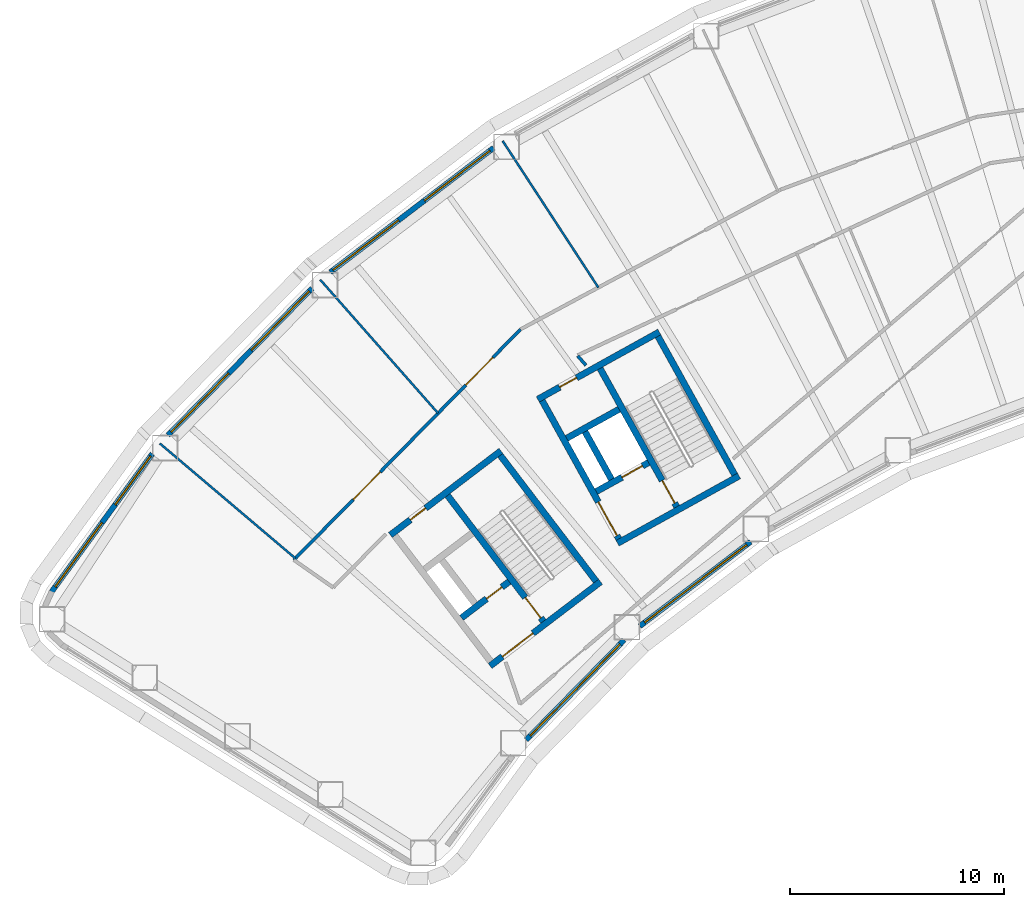
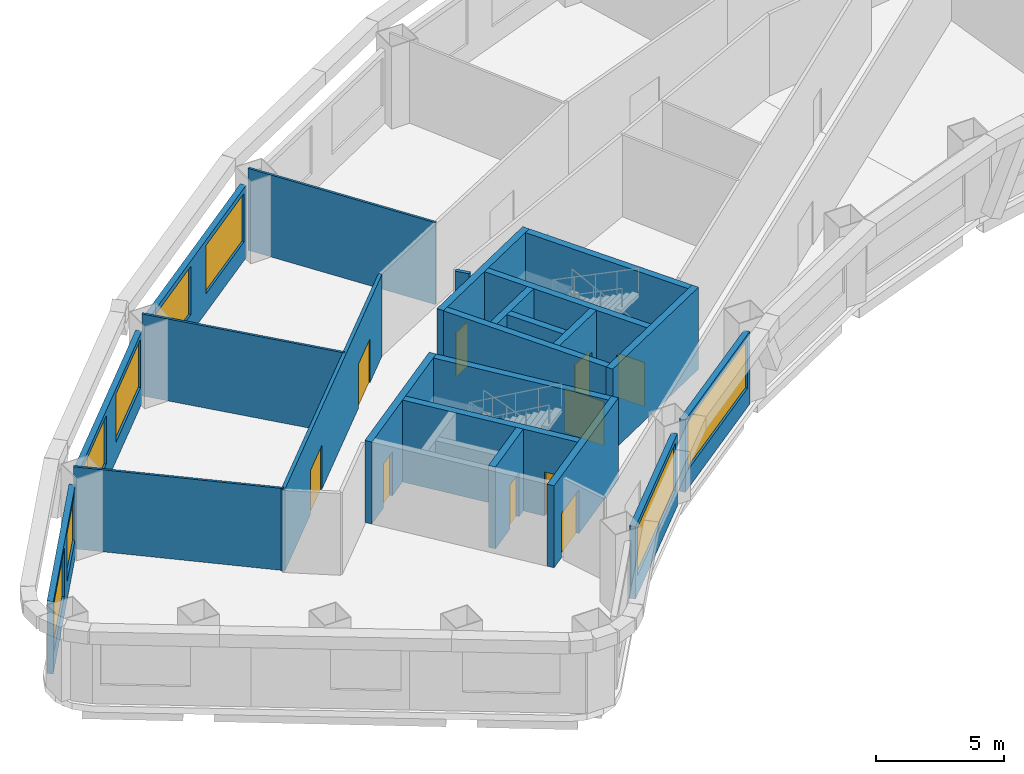
# One storey, part 3 of 10: 23 walls, 10 doors, 8 windows, 18 openings.
"""IFC4 building model written with IfcOpenShell, lengths in metres."""

import ifcopenshell
import ifcopenshell.guid

model = None  # the IFC model being written
_history = None  # IfcOwnerHistory: only IFC2X3 demands one
_inside = {}  # id of a spatial element -> (the spatial element, [elements in it])
_under = {}  # id of a project, library or spatial element -> (it, [spatial elements below it])
_declared = {}  # id of a project -> (the project, [libraries it declares])
_typed = {}  # id of a type object -> (the type object, [elements of that type])
_made_of = {}  # id of a material, layer set ... -> (it, [elements and type objects made of it])


def new_model(schema):
    """Start an empty IFC model of exactly this schema.

    Asked for "IFC4X3", IfcOpenShell would pick the latest addendum, in which some entities
    have other attributes; the version numbers below select the first issue.
    IFC2X3 requires an IfcOwnerHistory on every rooted entity: one is made here for all.
    """
    global model, _history
    if schema == "IFC4X3":
        model = ifcopenshell.file(schema_version=(4, 3, 0, 0))
    else:
        model = ifcopenshell.file(schema=schema)
    _inside.clear()
    _under.clear()
    _declared.clear()
    _typed.clear()
    _made_of.clear()
    _history = None
    if model.schema == "IFC2X3":
        org = make("IfcOrganization", Name="unknown")
        user = make(
            "IfcPersonAndOrganization",
            ThePerson=make("IfcPerson", FamilyName="unknown"),
            TheOrganization=org,
        )
        app = make(
            "IfcApplication",
            ApplicationDeveloper=org,
            Version="unknown",
            ApplicationFullName="unknown",
            ApplicationIdentifier="unknown",
        )
        _history = make(
            "IfcOwnerHistory",
            OwningUser=user,
            OwningApplication=app,
            ChangeAction="ADDED",
            CreationDate=0,
        )
    return model


def make(cls, **values):
    """One entity of the class cls with the attributes given. An attribute that is None is left unset."""
    return model.create_entity(
        cls, **{name: value for name, value in values.items() if value is not None}
    )


def rooted(cls, **values):
    """An entity with a GlobalId (a new one), such as an element, a storey or a relation."""
    return make(cls, GlobalId=ifcopenshell.guid.new(), OwnerHistory=_history, **values)


def si_unit(unit_type, name, prefix=None):
    """IfcSIUnit, for example si_unit("LENGTHUNIT", "METRE", prefix="MILLI")."""
    return make("IfcSIUnit", UnitType=unit_type, Prefix=prefix, Name=name)


def assignment(units):
    """IfcUnitAssignment: the units of a project."""
    return None if units is None else make("IfcUnitAssignment", Units=units)


def point(xyz):
    """IfcCartesianPoint."""
    return None if xyz is None else make("IfcCartesianPoint", Coordinates=xyz)


def direction(xyz):
    """IfcDirection."""
    return None if xyz is None else make("IfcDirection", DirectionRatios=xyz)


def frame(location, z_axis=None, x_axis=None):
    """IfcAxis2Placement3D, a coordinate frame: its origin and axes. An axis left out is left unset."""
    return make(
        "IfcAxis2Placement3D",
        Location=point(location),
        Axis=direction(z_axis),
        RefDirection=direction(x_axis),
    )


def frame_2d(location, x_axis=None):
    """IfcAxis2Placement2D, a coordinate frame in the plane: its origin and x axis."""
    return make(
        "IfcAxis2Placement2D", Location=point(location), RefDirection=direction(x_axis)
    )


def origin():
    """The frame at (0, 0, 0) with its axes left unset."""
    return frame((0.0, 0.0, 0.0))


def place(relative_to, where):
    """IfcLocalPlacement: puts the frame where relative to a parent placement (None: the world)."""
    return make(
        "IfcLocalPlacement", PlacementRelTo=relative_to, RelativePlacement=where
    )


def context(
    kind, dimensions, precision=None, world=None, true_north=None, identifier=None
):
    """IfcGeometricRepresentationContext, for example the 3D "Model" context."""
    return make(
        "IfcGeometricRepresentationContext",
        ContextIdentifier=identifier,
        ContextType=kind,
        CoordinateSpaceDimension=dimensions,
        Precision=precision,
        WorldCoordinateSystem=world,
        TrueNorth=true_north,
    )


def subcontext(parent, identifier, kind, view, scale=None):
    """IfcGeometricRepresentationSubContext, for example "Body" below "Model"."""
    return make(
        "IfcGeometricRepresentationSubContext",
        ContextIdentifier=identifier,
        ContextType=kind,
        ParentContext=parent,
        TargetScale=scale,
        TargetView=view,
    )


def project(units=None, contexts=None):
    """IfcProject with its units and contexts."""
    return rooted(
        "IfcProject",
        Name="project",
        RepresentationContexts=contexts,
        UnitsInContext=assignment(units),
    )


def spatial(cls, under=None, at=None, **own):
    """A site, building, storey or space (cls), placed at a placement, below another one or the project."""
    s = rooted(cls, ObjectPlacement=at, **own)
    if under is not None:
        _under.setdefault(under.id(), (under, []))[1].append(s)
    return s


def profile(cls, at=None, kind="AREA", **sizes):
    """A parametric profile (cls). Its sizes go by their IFC names, for example OverallWidth=200.0."""
    return make(cls, ProfileType=kind, Position=at, **sizes)


def rectangle(**sizes):
    """IfcRectangleProfileDef."""
    return profile("IfcRectangleProfileDef", **sizes)


def extrude(swept, where, along, depth):
    """IfcExtrudedAreaSolid: the profile swept, set in the frame where, extruded along a direction by depth."""
    return make(
        "IfcExtrudedAreaSolid",
        SweptArea=swept,
        Position=where,
        ExtrudedDirection=direction(along),
        Depth=depth,
    )


def shape(context_of_items, identifier, shape_type, items):
    """IfcShapeRepresentation: the items that make up one representation, for example the "Body"."""
    return make(
        "IfcShapeRepresentation",
        ContextOfItems=context_of_items,
        RepresentationIdentifier=identifier,
        RepresentationType=shape_type,
        Items=items,
    )


def material(Name=None, Category=None):
    """IfcMaterial."""
    return make("IfcMaterial", Name=Name, Category=Category)


def layer(
    of_material, thickness, ventilated=None, Name=None, Category=None, Priority=None
):
    """IfcMaterialLayer: one layer of a wall or slab, of a material (None: an air gap)."""
    return make(
        "IfcMaterialLayer",
        Material=of_material,
        LayerThickness=thickness,
        IsVentilated=ventilated,
        Name=Name,
        Category=Category,
        Priority=Priority,
    )


def layer_set(layers, Name=None):
    """IfcMaterialLayerSet."""
    return make("IfcMaterialLayerSet", MaterialLayers=layers, LayerSetName=Name)


def made_of(thing, what):
    """Note that an element or type object is made of a material, layer set ...; save() writes the relation."""
    if what is not None:
        _made_of.setdefault(what.id(), (what, []))[1].append(thing)
    return thing


def type_object(cls, material=None, **own):
    """A type object (cls), such as IfcWallType, which elements share."""
    return made_of(rooted(cls, **own), material)


def element(
    cls,
    number,
    at=None,
    inside=None,
    cuts=None,
    type_object=None,
    material=None,
    context=None,
    identifier="Body",
    shape_type=None,
    held_by="IfcProductDefinitionShape",
    body=None,
    shapes=None,
    **own,
):
    """One element of the class cls, such as IfcWall. Its Tag is "e" and its number.

    at: its placement. inside: the storey or other place that contains it. cuts: it is an
    opening in that element (IfcRelVoidsElement). A single representation is given by context,
    identifier, shape_type and body (its items); several are given by shapes. held_by: the class
    of the entity that holds the representations. save() writes the other relations.
    """
    e = rooted(cls, Tag="e%d" % number, ObjectPlacement=at, **own)
    if body is not None:
        shapes = [shape(context, identifier, shape_type, body)]
    if shapes is not None:
        e.Representation = make(held_by, Representations=shapes)
    if inside is not None:
        _inside.setdefault(inside.id(), (inside, []))[1].append(e)
    if cuts is not None:
        rooted(
            "IfcRelVoidsElement", RelatingBuildingElement=cuts, RelatedOpeningElement=e
        )
    if type_object is not None:
        _typed.setdefault(type_object.id(), (type_object, []))[1].append(e)
    return made_of(e, material)


def fill(opening, filler):
    """IfcRelFillsElement: the door or window that sits in an opening."""
    return rooted(
        "IfcRelFillsElement",
        RelatingOpeningElement=opening,
        RelatedBuildingElement=filler,
    )


def aggregate(whole, parts):
    """IfcRelAggregates: a whole, such as a stair, and the parts it consists of."""
    return rooted("IfcRelAggregates", RelatingObject=whole, RelatedObjects=parts)


def save(model, path):
    """Write the relations noted so far, then the file.

    IfcRelAggregates (storeys below a building ...), IfcRelContainedInSpatialStructure (elements
    in a storey), IfcRelDefinesByType, IfcRelAssociatesMaterial and IfcRelDeclares: one each for
    every whole, place, type object, material and project.
    """
    for whole, parts in _under.values():
        aggregate(whole, parts)
    for where, things in _inside.values():
        rooted(
            "IfcRelContainedInSpatialStructure",
            RelatedElements=things,
            RelatingStructure=where,
        )
    for kind, things in _typed.values():
        rooted("IfcRelDefinesByType", RelatedObjects=things, RelatingType=kind)
    for what, things in _made_of.values():
        rooted("IfcRelAssociatesMaterial", RelatedObjects=things, RelatingMaterial=what)
    for by, libraries in _declared.values():
        rooted("IfcRelDeclares", RelatingContext=by, RelatedDefinitions=libraries)
    model.write(path)


model = new_model("IFC4")

# Units and contexts
model_context = context("Model", 3, precision=1e-05, world=origin(), true_north=direction((0.0, 1.0)))
body_context = subcontext(model_context, "Body", "Model", "MODEL_VIEW")
ifc_project = project(units=[si_unit("LENGTHUNIT", "METRE"), si_unit("AREAUNIT", "SQUARE_METRE"), si_unit("VOLUMEUNIT", "CUBIC_METRE"), si_unit("PLANEANGLEUNIT", "RADIAN"), si_unit("MASSUNIT", "GRAM", prefix="KILO")], contexts=[model_context])

# Site, building, storey
site_placement = place(None, origin())
site = spatial("IfcSite", under=ifc_project, at=site_placement, CompositionType="ELEMENT")
building_placement = place(site_placement, origin())
building = spatial("IfcBuilding", under=site, at=building_placement, Name="Tuul Gate Civic Tower", CompositionType="ELEMENT")
storey_placement = place(building_placement, frame((0.0, 0.0, 86.39990234375)))
storey = spatial("IfcBuildingStorey", under=building, at=storey_placement, Name="Level 19", CompositionType="ELEMENT", Elevation=86.39990234375)

# Wall, opening, door
ifc_material_1 = material(Name="Concrete C50/60", Category="concrete")
ifc_layer_1 = layer(ifc_material_1, 0.300048828125)
ifc_layer_set_1 = layer_set([ifc_layer_1], Name="Concrete C50/60")
wall_type_1 = type_object("IfcWallType", Name="Core wall C50/60", PredefinedType="SHEAR", material=ifc_layer_set_1)
wall_1_placement = place(storey_placement, frame((-31.19091796875, -13.669677734375, 0.0), z_axis=(0.0, 0.0, 1.0), x_axis=(-0.795606717756, -0.605813461934, 0.0)))
wall_1 = element("IfcWall", 1, at=wall_1_placement, inside=storey, type_object=wall_type_1, Name="Core wall", PredefinedType="SHEAR", context=body_context, shape_type="SweptSolid", body=[
    extrude(rectangle(XDim=6.5, YDim=0.300048828125, at=frame_2d((3.25, 0.0))), origin(), (0.0, 0.0, 1.0), 3.900146484375),
])
opening_1_placement = place(wall_1_placement, frame((3.97509765625, 0.0, 0.0)))
opening_1 = element("IfcOpeningElement", 2, at=opening_1_placement, cuts=wall_1, Name="Opening LB-W1-LOBBY-1", PredefinedType="OPENING", context=body_context, shape_type="SweptSolid", body=[
    extrude(rectangle(XDim=1.800048828125, YDim=2.10009765625, at=frame_2d((0.89990234375, 1.050048828125))), frame((0.0, 0.16015625, 0.0), z_axis=(0.0, -1.0, 0.0), x_axis=(1.0, 0.0, 0.0)), (0.0, 0.0, 1.0), 0.320068359375),
])
ifc_material_2 = material(Name="Steel", Category="steel")
door_type_1 = type_object("IfcDoorType", Name="Lobby door", OperationType="DOUBLE_DOOR_SINGLE_SWING", PredefinedType="DOOR", material=ifc_material_2)
door_1_placement = place(opening_1_placement, origin())
door_1 = element("IfcDoor", 3, at=door_1_placement, inside=storey, type_object=door_type_1, Name="Lobby door W1-LOBBY", OperationType="DOUBLE_DOOR_SINGLE_SWING", OverallHeight=2.10009765625, OverallWidth=1.800048828125, PredefinedType="DOOR", context=body_context, shape_type="SweptSolid", body=[
    extrude(rectangle(XDim=1.800048828125, YDim=2.10009765625, at=frame_2d((0.89990234375, 1.050048828125))), frame((0.0, 0.02490234375, 0.0), z_axis=(0.0, -1.0, 0.0), x_axis=(1.0, 0.0, 0.0)), (0.0, 0.0, 1.0), 0.050048828125),
])
fill(opening_1, door_1)

wall_2_placement = place(storey_placement, frame((-35.470947265625, -13.66064453125, 0.0), z_axis=(0.0, 0.0, 1.0), x_axis=(-0.795615822227, -0.605801504968, 0.0)))
wall_2 = element("IfcWall", 4, at=wall_2_placement, inside=storey, type_object=wall_type_1, Name="Core wall", PredefinedType="SHEAR", context=body_context, shape_type="SweptSolid", body=[
    extrude(rectangle(XDim=2.800048828125, YDim=0.300048828125, at=frame_2d((1.39990234375, 0.0))), origin(), (0.0, 0.0, 1.0), 3.900146484375),
])
opening_2_placement = place(wall_2_placement, frame((0.425048828125, 0.0, 0.0)))
opening_2 = element("IfcOpeningElement", 5, at=opening_2_placement, cuts=wall_2, Name="Opening FB-W1A1", PredefinedType="OPENING", context=body_context, shape_type="SweptSolid", body=[
    extrude(rectangle(XDim=0.89990234375, YDim=2.10009765625, at=frame_2d((0.449951171875, 1.050048828125))), frame((0.0, 0.16015625, 0.0), z_axis=(0.0, -1.0, 0.0), x_axis=(1.0, 0.0, 0.0)), (0.0, 0.0, 1.0), 0.320068359375),
])
ifc_material_3 = material(Name="Steel", Category="steel")
door_type_2 = type_object("IfcDoorType", Name="Store door", OperationType="NOTDEFINED", PredefinedType="DOOR", material=ifc_material_3)
door_2_placement = place(opening_2_placement, frame((0.89990234375, 0.0, 0.0), z_axis=(0.0, 0.0, 1.0), x_axis=(-1.0, 0.0, 0.0)))
door_2 = element("IfcDoor", 6, at=door_2_placement, inside=storey, type_object=door_type_2, Name="Store door W1A1", OperationType="SINGLE_SWING_RIGHT", OverallHeight=2.10009765625, OverallWidth=0.89990234375, PredefinedType="DOOR", context=body_context, shape_type="SweptSolid", body=[
    extrude(rectangle(XDim=0.89990234375, YDim=2.10009765625, at=frame_2d((0.449951171875, 1.050048828125))), frame((0.0, 0.02490234375, 0.0), z_axis=(0.0, -1.0, 0.0), x_axis=(1.0, 0.0, 0.0)), (0.0, 0.0, 1.0), 0.050048828125),
])
fill(opening_2, door_2)

wall_3_placement = place(storey_placement, frame((-35.855224609375, -7.543212890625, 0.0), z_axis=(0.0, 0.0, 1.0), x_axis=(-0.79563860527, -0.605771582202, 0.0)))
wall_3 = element("IfcWall", 7, at=wall_3_placement, inside=storey, type_object=wall_type_1, Name="Core wall", PredefinedType="SHEAR", context=body_context, shape_type="SweptSolid", body=[
    extrude(rectangle(XDim=6.5, YDim=0.300048828125, at=frame_2d((3.25, 0.0))), origin(), (0.0, 0.0, 1.0), 3.900146484375),
])
opening_3_placement = place(wall_3_placement, frame((4.425048828125, 0.0, 0.0)))
opening_3 = element("IfcOpeningElement", 8, at=opening_3_placement, cuts=wall_3, Name="Opening F-D25", PredefinedType="OPENING", context=body_context, shape_type="SweptSolid", body=[
    extrude(rectangle(XDim=0.89990234375, YDim=2.10009765625, at=frame_2d((0.449951171875, 1.050048828125))), frame((0.0, 0.16015625, 0.0), z_axis=(0.0, -1.0, 0.0), x_axis=(1.0, 0.0, 0.0)), (0.0, 0.0, 1.0), 0.320068359375),
])
ifc_material_4 = material(Name="Timber door leaf", Category="wood")
door_type_3 = type_object("IfcDoorType", Name="Door D09", OperationType="NOTDEFINED", PredefinedType="DOOR", material=ifc_material_4)
door_3_placement = place(opening_3_placement, origin())
door_3 = element("IfcDoor", 9, at=door_3_placement, inside=storey, type_object=door_type_3, Name="Door F-D25", OperationType="SINGLE_SWING_LEFT", OverallHeight=2.10009765625, OverallWidth=0.89990234375, PredefinedType="DOOR", context=body_context, shape_type="SweptSolid", body=[
    extrude(rectangle(XDim=0.89990234375, YDim=2.10009765625, at=frame_2d((0.449951171875, 1.050048828125))), frame((0.0, 0.02490234375, 0.0), z_axis=(0.0, -1.0, 0.0), x_axis=(1.0, 0.0, 0.0)), (0.0, 0.0, 1.0), 0.050048828125),
])
fill(opening_3, door_3)

# Wall
wall_4_placement = place(storey_placement, frame((-31.401123046875, -13.64111328125, 0.0), z_axis=(0.0, 0.0, 1.0), x_axis=(-0.605769822278, 0.795639945213, 0.0)))
element("IfcWall", 10, at=wall_4_placement, inside=storey, type_object=wall_type_1, Name="Core wall", PredefinedType="SHEAR", context=body_context, shape_type="SweptSolid", body=[
    extrude(rectangle(XDim=7.39990234375, YDim=0.300048828125, at=frame_2d((3.699951171875, 0.0))), origin(), (0.0, 0.0, 1.0), 3.900146484375),
])

# Wall, opening, door
wall_5_placement = place(storey_placement, frame((-33.867431640625, -15.51904296875, 0.0), z_axis=(0.0, 0.0, 1.0), x_axis=(-0.605769822278, 0.795639945213, 0.0)))
wall_5 = element("IfcWall", 11, at=wall_5_placement, inside=storey, type_object=wall_type_1, Name="Core wall", PredefinedType="SHEAR", context=body_context, shape_type="SweptSolid", body=[
    extrude(rectangle(XDim=7.39990234375, YDim=0.300048828125, at=frame_2d((3.699951171875, 0.0))), origin(), (0.0, 0.0, 1.0), 3.900146484375),
])
opening_4_placement = place(wall_5_placement, frame((0.199951171875, 0.0, 0.0)))
opening_4 = element("IfcOpeningElement", 12, at=opening_4_placement, cuts=wall_5, Name="Opening SD-ST-1", PredefinedType="OPENING", context=body_context, shape_type="SweptSolid", body=[
    extrude(rectangle(XDim=1.199951171875, YDim=2.10009765625, at=frame_2d((0.60009765625, 1.050048828125))), frame((0.0, 0.16015625, 0.0), z_axis=(0.0, -1.0, 0.0), x_axis=(1.0, 0.0, 0.0)), (0.0, 0.0, 1.0), 0.320068359375),
])
ifc_material_5 = material(Name="Steel", Category="steel")
door_type_4 = type_object("IfcDoorType", Name="Stair door", OperationType="NOTDEFINED", PredefinedType="DOOR", material=ifc_material_5)
door_4_placement = place(opening_4_placement, origin())
door_4 = element("IfcDoor", 13, at=door_4_placement, inside=storey, type_object=door_type_4, Name="Stair door ST-1", OperationType="SINGLE_SWING_LEFT", OverallHeight=2.10009765625, OverallWidth=1.199951171875, PredefinedType="DOOR", context=body_context, shape_type="SweptSolid", body=[
    extrude(rectangle(XDim=1.199951171875, YDim=2.10009765625, at=frame_2d((0.60009765625, 1.050048828125))), frame((0.0, 0.02490234375, 0.0), z_axis=(0.0, -1.0, 0.0), x_axis=(1.0, 0.0, 0.0)), (0.0, 0.0, 1.0), 0.050048828125),
])
fill(opening_4, door_4)

# Wall
wall_6_placement = place(storey_placement, frame((-24.711669921875, -8.7158203125, 0.0), z_axis=(0.0, 0.0, 1.0), x_axis=(-0.874629909008, -0.484791215132, 0.0)))
element("IfcWall", 14, at=wall_6_placement, inside=storey, type_object=wall_type_1, Name="Core wall", PredefinedType="SHEAR", context=body_context, shape_type="SweptSolid", body=[
    extrude(rectangle(XDim=6.5, YDim=0.300048828125, at=frame_2d((3.25, 0.0))), origin(), (0.0, 0.0, 1.0), 3.900146484375),
])

# Wall, opening, door
wall_7_placement = place(storey_placement, frame((-28.94580078125, -8.090087890625, 0.0), z_axis=(0.0, 0.0, 1.0), x_axis=(-0.874629840737, -0.484791338301, 0.0)))
wall_7 = element("IfcWall", 15, at=wall_7_placement, inside=storey, type_object=wall_type_1, Name="Core wall", PredefinedType="SHEAR", context=body_context, shape_type="SweptSolid", body=[
    extrude(rectangle(XDim=2.800048828125, YDim=0.300048828125, at=frame_2d((1.39990234375, 0.0))), origin(), (0.0, 0.0, 1.0), 3.900146484375),
])
opening_5_placement = place(wall_7_placement, frame((0.324951171875, 0.0, 0.0)))
opening_5 = element("IfcOpeningElement", 16, at=opening_5_placement, cuts=wall_7, Name="Opening LD-FF-1", PredefinedType="OPENING", context=body_context, shape_type="SweptSolid", body=[
    extrude(rectangle(XDim=1.10009765625, YDim=2.10009765625, at=frame_2d((0.550048828125, 1.050048828125))), frame((0.0, 0.16015625, 0.0), z_axis=(0.0, -1.0, 0.0), x_axis=(1.0, 0.0, 0.0)), (0.0, 0.0, 1.0), 0.320068359375),
])
ifc_material_6 = material(Name="Stainless steel", Category="steel")
door_type_5 = type_object("IfcDoorType", Name="Landing door", OperationType="DOUBLE_DOOR_SLIDING", PredefinedType="DOOR", material=ifc_material_6)
door_5_placement = place(opening_5_placement, origin())
door_5 = element("IfcDoor", 17, at=door_5_placement, inside=storey, type_object=door_type_5, Name="Fire-fighting lift FF-1 landing door", OperationType="DOUBLE_DOOR_SLIDING", OverallHeight=2.10009765625, OverallWidth=1.10009765625, PredefinedType="DOOR", context=body_context, shape_type="SweptSolid", body=[
    extrude(rectangle(XDim=1.10009765625, YDim=2.10009765625, at=frame_2d((0.550048828125, 1.050048828125))), frame((0.0, 0.02490234375, 0.0), z_axis=(0.0, -1.0, 0.0), x_axis=(1.0, 0.0, 0.0)), (0.0, 0.0, 1.0), 0.050048828125),
])
fill(opening_5, door_5)

# Wall
wall_8_placement = place(storey_placement, frame((-30.327392578125, -5.59716796875, 0.0), z_axis=(0.0, 0.0, 1.0), x_axis=(-0.874629840737, -0.484791338301, 0.0)))
element("IfcWall", 18, at=wall_8_placement, inside=storey, type_object=wall_type_1, Name="Core wall", PredefinedType="SHEAR", context=body_context, shape_type="SweptSolid", body=[
    extrude(rectangle(XDim=2.800048828125, YDim=0.300048828125, at=frame_2d((1.39990234375, 0.0))), origin(), (0.0, 0.0, 1.0), 3.900146484375),
])

# Wall, opening, door
wall_9_placement = place(storey_placement, frame((-28.4443359375, -1.98095703125, 0.0), z_axis=(0.0, 0.0, 1.0), x_axis=(-0.874629909008, -0.484791215132, 0.0)))
wall_9 = element("IfcWall", 19, at=wall_9_placement, inside=storey, type_object=wall_type_1, Name="Core wall", PredefinedType="SHEAR", context=body_context, shape_type="SweptSolid", body=[
    extrude(rectangle(XDim=6.5, YDim=0.300048828125, at=frame_2d((3.25, 0.0))), origin(), (0.0, 0.0, 1.0), 3.900146484375),
])
opening_6_placement = place(wall_9_placement, frame((4.425048828125, 0.0, 0.0)))
opening_6 = element("IfcOpeningElement", 20, at=opening_6_placement, cuts=wall_9, Name="Opening F-D26", PredefinedType="OPENING", context=body_context, shape_type="SweptSolid", body=[
    extrude(rectangle(XDim=0.89990234375, YDim=2.10009765625, at=frame_2d((0.449951171875, 1.050048828125))), frame((0.0, 0.16015625, 0.0), z_axis=(0.0, -1.0, 0.0), x_axis=(1.0, 0.0, 0.0)), (0.0, 0.0, 1.0), 0.320068359375),
])
door_6_placement = place(opening_6_placement, origin())
door_6 = element("IfcDoor", 21, at=door_6_placement, inside=storey, type_object=door_type_3, Name="Door F-D26", OperationType="SINGLE_SWING_LEFT", OverallHeight=2.10009765625, OverallWidth=0.89990234375, PredefinedType="DOOR", context=body_context, shape_type="SweptSolid", body=[
    extrude(rectangle(XDim=0.89990234375, YDim=2.10009765625, at=frame_2d((0.449951171875, 1.050048828125))), frame((0.0, 0.02490234375, 0.0), z_axis=(0.0, -1.0, 0.0), x_axis=(1.0, 0.0, 0.0)), (0.0, 0.0, 1.0), 0.050048828125),
])
fill(opening_6, door_6)

# Wall
wall_10_placement = place(storey_placement, frame((-24.91552734375, -8.6572265625, 0.0), z_axis=(0.0, 0.0, 1.0), x_axis=(-0.484777133038, 0.874637714304, 0.0)))
element("IfcWall", 22, at=wall_10_placement, inside=storey, type_object=wall_type_1, Name="Core wall", PredefinedType="SHEAR", context=body_context, shape_type="SweptSolid", body=[
    extrude(rectangle(XDim=7.400146484375, YDim=0.300048828125, at=frame_2d((3.7001953125, 0.0))), origin(), (0.0, 0.0, 1.0), 3.900146484375),
])

# Wall, opening, door
wall_11_placement = place(storey_placement, frame((-27.626953125, -10.16015625, 0.0), z_axis=(0.0, 0.0, 1.0), x_axis=(-0.484751894226, 0.874651702704, 0.0)))
wall_11 = element("IfcWall", 23, at=wall_11_placement, inside=storey, type_object=wall_type_1, Name="Core wall", PredefinedType="SHEAR", context=body_context, shape_type="SweptSolid", body=[
    extrude(rectangle(XDim=7.39990234375, YDim=0.300048828125, at=frame_2d((3.699951171875, 0.0))), origin(), (0.0, 0.0, 1.0), 3.900146484375),
])
opening_7_placement = place(wall_11_placement, frame((0.199951171875, 0.0, 0.0)))
opening_7 = element("IfcOpeningElement", 24, at=opening_7_placement, cuts=wall_11, Name="Opening SD-ST-2", PredefinedType="OPENING", context=body_context, shape_type="SweptSolid", body=[
    extrude(rectangle(XDim=1.199951171875, YDim=2.10009765625, at=frame_2d((0.60009765625, 1.050048828125))), frame((0.0, 0.16015625, 0.0), z_axis=(0.0, -1.0, 0.0), x_axis=(1.0, 0.0, 0.0)), (0.0, 0.0, 1.0), 0.320068359375),
])
door_7_placement = place(opening_7_placement, origin())
door_7 = element("IfcDoor", 25, at=door_7_placement, inside=storey, type_object=door_type_4, Name="Stair door ST-2", OperationType="SINGLE_SWING_LEFT", OverallHeight=2.10009765625, OverallWidth=1.199951171875, PredefinedType="DOOR", context=body_context, shape_type="SweptSolid", body=[
    extrude(rectangle(XDim=1.199951171875, YDim=2.10009765625, at=frame_2d((0.60009765625, 1.050048828125))), frame((0.0, 0.02490234375, 0.0), z_axis=(0.0, -1.0, 0.0), x_axis=(1.0, 0.0, 0.0)), (0.0, 0.0, 1.0), 0.050048828125),
])
fill(opening_7, door_7)

# Wall
wall_12_placement = place(storey_placement, frame((-30.680419921875, -8.8798828125, 0.0), z_axis=(0.0, 0.0, 1.0), x_axis=(-0.484724115216, 0.874667097888, 0.0)))
element("IfcWall", 26, at=wall_12_placement, inside=storey, type_object=wall_type_1, Name="Core wall", PredefinedType="SHEAR", context=body_context, shape_type="SweptSolid", body=[
    extrude(rectangle(XDim=2.550048828125, YDim=0.300048828125, at=frame_2d((1.27490234375, 0.0))), origin(), (0.0, 0.0, 1.0), 3.900146484375),
])

# Wall, opening, door
wall_13_placement = place(storey_placement, frame((-30.33837890625, -11.6630859375, 0.0), z_axis=(0.0, 0.0, 1.0), x_axis=(-0.484751894226, 0.874651702704, 0.0)))
wall_13 = element("IfcWall", 27, at=wall_13_placement, inside=storey, type_object=wall_type_1, Name="Core wall", PredefinedType="SHEAR", context=body_context, shape_type="SweptSolid", body=[
    extrude(rectangle(XDim=7.39990234375, YDim=0.300048828125, at=frame_2d((3.699951171875, 0.0))), origin(), (0.0, 0.0, 1.0), 3.900146484375),
])
opening_8_placement = place(wall_13_placement, frame((0.175048828125, 0.0, 0.0)))
opening_8 = element("IfcOpeningElement", 28, at=opening_8_placement, cuts=wall_13, Name="Opening LB-W2-FLOBBY-1", PredefinedType="OPENING", context=body_context, shape_type="SweptSolid", body=[
    extrude(rectangle(XDim=1.800048828125, YDim=2.10009765625, at=frame_2d((0.89990234375, 1.050048828125))), frame((0.0, 0.16015625, 0.0), z_axis=(0.0, -1.0, 0.0), x_axis=(1.0, 0.0, 0.0)), (0.0, 0.0, 1.0), 0.320068359375),
])
door_8_placement = place(opening_8_placement, origin())
door_8 = element("IfcDoor", 29, at=door_8_placement, inside=storey, type_object=door_type_1, Name="Lobby door W2-FLOBBY", OperationType="DOUBLE_DOOR_SINGLE_SWING", OverallHeight=2.10009765625, OverallWidth=1.800048828125, PredefinedType="DOOR", context=body_context, shape_type="SweptSolid", body=[
    extrude(rectangle(XDim=1.800048828125, YDim=2.10009765625, at=frame_2d((0.89990234375, 1.050048828125))), frame((0.0, 0.02490234375, 0.0), z_axis=(0.0, -1.0, 0.0), x_axis=(1.0, 0.0, 0.0)), (0.0, 0.0, 1.0), 0.050048828125),
])
fill(opening_8, door_8)

# Wall, openings, doors
ifc_material_7 = material(Name="Gypsum board partition")
ifc_layer_2 = layer(ifc_material_7, 0.14990234375)
ifc_layer_set_2 = layer_set([ifc_layer_2], Name="Gypsum board partition")
wall_type_2 = type_object("IfcWallType", Name="Corridor wall P150", PredefinedType="PARTITIONING", material=ifc_layer_set_2)
wall_14_placement = place(storey_placement, frame((-45.54443359375, -12.64697265625, 0.0), z_axis=(0.0, 0.0, 1.0), x_axis=(0.701088693239, 0.713074080452, 0.0)))
wall_14 = element("IfcWall", 30, at=wall_14_placement, inside=storey, type_object=wall_type_2, Name="p033", PredefinedType="PARTITIONING", context=body_context, shape_type="SweptSolid", body=[
    extrude(rectangle(XDim=15.134765625, YDim=0.14990234375, at=frame_2d((7.5673828125, 0.0))), origin(), (0.0, 0.0, 1.0), 3.900146484375),
])
opening_9_placement = place(wall_14_placement, frame((11.48046875, 0.0, 0.0)))
opening_9 = element("IfcOpeningElement", 31, at=opening_9_placement, cuts=wall_14, Name="Opening F-D10", PredefinedType="OPENING", context=body_context, shape_type="SweptSolid", body=[
    extrude(rectangle(XDim=1.800048828125, YDim=2.10009765625, at=frame_2d((0.89990234375, 1.050048828125))), frame((0.0, 0.0849609375, 0.0), z_axis=(0.0, -1.0, 0.0), x_axis=(1.0, 0.0, 0.0)), (0.0, 0.0, 1.0), 0.169921875),
])
opening_10_placement = place(wall_14_placement, frame((3.965087890625, 0.0, 0.0)))
opening_10 = element("IfcOpeningElement", 32, at=opening_10_placement, cuts=wall_14, Name="Opening F-D11", PredefinedType="OPENING", context=body_context, shape_type="SweptSolid", body=[
    extrude(rectangle(XDim=1.800048828125, YDim=2.10009765625, at=frame_2d((0.89990234375, 1.050048828125))), frame((0.0, 0.0849609375, 0.0), z_axis=(0.0, -1.0, 0.0), x_axis=(1.0, 0.0, 0.0)), (0.0, 0.0, 1.0), 0.169921875),
])
ifc_material_8 = material(Name="Timber door leaf, double", Category="wood")
door_type_6 = type_object("IfcDoorType", Name="Door D18", OperationType="DOUBLE_DOOR_SINGLE_SWING", PredefinedType="DOOR", material=ifc_material_8)
door_9_placement = place(opening_9_placement, origin())
door_9 = element("IfcDoor", 33, at=door_9_placement, inside=storey, type_object=door_type_6, Name="Door F-D10", OperationType="DOUBLE_DOOR_SINGLE_SWING", OverallHeight=2.10009765625, OverallWidth=1.800048828125, PredefinedType="DOOR", context=body_context, shape_type="SweptSolid", body=[
    extrude(rectangle(XDim=1.800048828125, YDim=2.10009765625, at=frame_2d((0.89990234375, 1.050048828125))), frame((0.0, 0.02490234375, 0.0), z_axis=(0.0, -1.0, 0.0), x_axis=(1.0, 0.0, 0.0)), (0.0, 0.0, 1.0), 0.050048828125),
])
fill(opening_9, door_9)
door_10_placement = place(opening_10_placement, origin())
door_10 = element("IfcDoor", 34, at=door_10_placement, inside=storey, type_object=door_type_6, Name="Door F-D11", OperationType="DOUBLE_DOOR_SINGLE_SWING", OverallHeight=2.10009765625, OverallWidth=1.800048828125, PredefinedType="DOOR", context=body_context, shape_type="SweptSolid", body=[
    extrude(rectangle(XDim=1.800048828125, YDim=2.10009765625, at=frame_2d((0.89990234375, 1.050048828125))), frame((0.0, 0.02490234375, 0.0), z_axis=(0.0, -1.0, 0.0), x_axis=(1.0, 0.0, 0.0)), (0.0, 0.0, 1.0), 0.050048828125),
])
fill(opening_10, door_10)

# Wall
wall_15_placement = place(storey_placement, frame((-32.260986328125, -3.09912109375, 0.0), z_axis=(0.0, 0.0, 1.0), x_axis=(0.658209440718, -0.752834863798, 0.0)))
element("IfcWall", 35, at=wall_15_placement, inside=storey, type_object=wall_type_2, Name="p063", PredefinedType="PARTITIONING", context=body_context, shape_type="SweptSolid", body=[
    extrude(rectangle(XDim=0.585693359375, YDim=0.14990234375, at=frame_2d((0.29296875, 0.0))), origin(), (0.0, 0.0, 1.0), 3.900146484375),
])

# Wall, openings, windows
ifc_material_9 = material(Name="Precast concrete C40/50", Category="concrete")
ifc_layer_3 = layer(ifc_material_9, 0.25)
ifc_layer_set_3 = layer_set([ifc_layer_3], Name="Precast concrete C40/50")
wall_type_3 = type_object("IfcWallType", Name="External wall", PredefinedType="STANDARD", material=ifc_layer_set_3)
wall_16_placement = place(storey_placement, frame((-36.194091796875, 6.635986328125, 0.0), z_axis=(0.0, 0.0, 1.0), x_axis=(-0.795611941646, -0.605806601409, 0.0)))
wall_16 = element("IfcWall", 36, at=wall_16_placement, inside=storey, type_object=wall_type_3, Name="External wall", PredefinedType="STANDARD", context=body_context, shape_type="SweptSolid", body=[
    extrude(rectangle(XDim=9.607177734375, YDim=0.25, at=frame_2d((4.8037109375, 0.0))), origin(), (0.0, 0.0, 1.0), 3.4501953125),
])
opening_11_placement = place(wall_16_placement, frame((0.221923828125, 0.0, 0.89990234375)))
opening_11 = element("IfcOpeningElement", 37, at=opening_11_placement, cuts=wall_16, Name="Opening W22", PredefinedType="OPENING", context=body_context, shape_type="SweptSolid", body=[
    extrude(rectangle(XDim=3.85009765625, YDim=2.300048828125, at=frame_2d((1.925048828125, 1.14990234375))), frame((0.0, 0.135009765625, 0.0), z_axis=(0.0, -1.0, 0.0), x_axis=(1.0, 0.0, 0.0)), (0.0, 0.0, 1.0), 0.27001953125),
])
opening_12_placement = place(wall_16_placement, frame((5.59326171875, 0.0, 0.89990234375)))
opening_12 = element("IfcOpeningElement", 38, at=opening_12_placement, cuts=wall_16, Name="Opening W22", PredefinedType="OPENING", context=body_context, shape_type="SweptSolid", body=[
    extrude(rectangle(XDim=3.85009765625, YDim=2.300048828125, at=frame_2d((1.925048828125, 1.14990234375))), frame((0.0, 0.135009765625, 0.0), z_axis=(0.0, -1.0, 0.0), x_axis=(1.0, 0.0, 0.0)), (0.0, 0.0, 1.0), 0.27001953125),
])
ifc_material_10 = material(Name="Glass", Category="glass")
window_type_1 = type_object("IfcWindowType", Name="Window W22 3850 x 2300", PartitioningType="SINGLE_PANEL", PredefinedType="WINDOW", material=ifc_material_10)
window_1_placement = place(opening_11_placement, origin())
window_1 = element("IfcWindow", 39, at=window_1_placement, inside=storey, type_object=window_type_1, Name="Window", OverallHeight=2.300048828125, OverallWidth=3.85009765625, PartitioningType="SINGLE_PANEL", PredefinedType="WINDOW", context=body_context, shape_type="SweptSolid", body=[
    extrude(rectangle(XDim=3.85009765625, YDim=2.300048828125, at=frame_2d((1.925048828125, 1.14990234375))), frame((0.0, 0.030029296875, 0.0), z_axis=(0.0, -1.0, 0.0), x_axis=(1.0, 0.0, 0.0)), (0.0, 0.0, 1.0), 0.06005859375),
])
fill(opening_11, window_1)
window_2_placement = place(opening_12_placement, origin())
window_2 = element("IfcWindow", 40, at=window_2_placement, inside=storey, type_object=window_type_1, Name="Window", OverallHeight=2.300048828125, OverallWidth=3.85009765625, PartitioningType="SINGLE_PANEL", PredefinedType="WINDOW", context=body_context, shape_type="SweptSolid", body=[
    extrude(rectangle(XDim=3.85009765625, YDim=2.300048828125, at=frame_2d((1.925048828125, 1.14990234375))), frame((0.0, 0.030029296875, 0.0), z_axis=(0.0, -1.0, 0.0), x_axis=(1.0, 0.0, 0.0)), (0.0, 0.0, 1.0), 0.06005859375),
])
fill(opening_12, window_2)

wall_17_placement = place(storey_placement, frame((-44.68896484375, 0.068359375, 0.0), z_axis=(0.0, 0.0, 1.0), x_axis=(-0.700037194481, -0.714106383072, 0.0)))
wall_17 = element("IfcWall", 41, at=wall_17_placement, inside=storey, type_object=wall_type_3, Name="External wall", PredefinedType="STANDARD", context=body_context, shape_type="SweptSolid", body=[
    extrude(rectangle(XDim=9.630859375, YDim=0.25, at=frame_2d((4.8154296875, 0.0))), origin(), (0.0, 0.0, 1.0), 3.4501953125),
])
opening_13_placement = place(wall_17_placement, frame((0.203125, 0.0, 0.89990234375)))
opening_13 = element("IfcOpeningElement", 42, at=opening_13_placement, cuts=wall_17, Name="Opening W22", PredefinedType="OPENING", context=body_context, shape_type="SweptSolid", body=[
    extrude(rectangle(XDim=3.85009765625, YDim=2.300048828125, at=frame_2d((1.925048828125, 1.14990234375))), frame((0.0, 0.135009765625, 0.0), z_axis=(0.0, -1.0, 0.0), x_axis=(1.0, 0.0, 0.0)), (0.0, 0.0, 1.0), 0.27001953125),
])
opening_14_placement = place(wall_17_placement, frame((5.57421875, 0.0, 0.89990234375)))
opening_14 = element("IfcOpeningElement", 43, at=opening_14_placement, cuts=wall_17, Name="Opening W22", PredefinedType="OPENING", context=body_context, shape_type="SweptSolid", body=[
    extrude(rectangle(XDim=3.85009765625, YDim=2.300048828125, at=frame_2d((1.925048828125, 1.14990234375))), frame((0.0, 0.135009765625, 0.0), z_axis=(0.0, -1.0, 0.0), x_axis=(1.0, 0.0, 0.0)), (0.0, 0.0, 1.0), 0.27001953125),
])
window_3_placement = place(opening_13_placement, origin())
window_3 = element("IfcWindow", 44, at=window_3_placement, inside=storey, type_object=window_type_1, Name="Window", OverallHeight=2.300048828125, OverallWidth=3.85009765625, PartitioningType="SINGLE_PANEL", PredefinedType="WINDOW", context=body_context, shape_type="SweptSolid", body=[
    extrude(rectangle(XDim=3.85009765625, YDim=2.300048828125, at=frame_2d((1.925048828125, 1.14990234375))), frame((0.0, 0.030029296875, 0.0), z_axis=(0.0, -1.0, 0.0), x_axis=(1.0, 0.0, 0.0)), (0.0, 0.0, 1.0), 0.06005859375),
])
fill(opening_13, window_3)
window_4_placement = place(opening_14_placement, origin())
window_4 = element("IfcWindow", 45, at=window_4_placement, inside=storey, type_object=window_type_1, Name="Window", OverallHeight=2.300048828125, OverallWidth=3.85009765625, PartitioningType="SINGLE_PANEL", PredefinedType="WINDOW", context=body_context, shape_type="SweptSolid", body=[
    extrude(rectangle(XDim=3.85009765625, YDim=2.300048828125, at=frame_2d((1.925048828125, 1.14990234375))), frame((0.0, 0.030029296875, 0.0), z_axis=(0.0, -1.0, 0.0), x_axis=(1.0, 0.0, 0.0)), (0.0, 0.0, 1.0), 0.06005859375),
])
fill(opening_14, window_4)

wall_18_placement = place(storey_placement, frame((-52.1640625, -7.679443359375, 0.0), z_axis=(0.0, 0.0, 1.0), x_axis=(-0.589758648629, -0.807579554204, 0.0)))
wall_18 = element("IfcWall", 46, at=wall_18_placement, inside=storey, type_object=wall_type_3, Name="External wall", PredefinedType="STANDARD", context=body_context, shape_type="SweptSolid", body=[
    extrude(rectangle(XDim=7.998291015625, YDim=0.25, at=frame_2d((3.9990234375, 0.0))), origin(), (0.0, 0.0, 1.0), 3.4501953125),
])
opening_15_placement = place(wall_18_placement, frame((0.145751953125, 0.0, 0.89990234375)))
opening_15 = element("IfcOpeningElement", 47, at=opening_15_placement, cuts=wall_18, Name="Opening W23", PredefinedType="OPENING", context=body_context, shape_type="SweptSolid", body=[
    extrude(rectangle(XDim=2.800048828125, YDim=2.300048828125, at=frame_2d((1.39990234375, 1.14990234375))), frame((0.0, 0.135009765625, 0.0), z_axis=(0.0, -1.0, 0.0), x_axis=(1.0, 0.0, 0.0)), (0.0, 0.0, 1.0), 0.27001953125),
])
opening_16_placement = place(wall_18_placement, frame((3.997314453125, 0.0, 0.89990234375)))
opening_16 = element("IfcOpeningElement", 48, at=opening_16_placement, cuts=wall_18, Name="Opening W21", PredefinedType="OPENING", context=body_context, shape_type="SweptSolid", body=[
    extrude(rectangle(XDim=3.699951171875, YDim=2.300048828125, at=frame_2d((1.85009765625, 1.14990234375))), frame((0.0, 0.135009765625, 0.0), z_axis=(0.0, -1.0, 0.0), x_axis=(1.0, 0.0, 0.0)), (0.0, 0.0, 1.0), 0.27001953125),
])
ifc_material_11 = material(Name="Glass", Category="glass")
window_type_2 = type_object("IfcWindowType", Name="Window W21 3700 x 2300", PartitioningType="SINGLE_PANEL", PredefinedType="WINDOW", material=ifc_material_11)
window_5_placement = place(opening_16_placement, origin())
window_5 = element("IfcWindow", 49, at=window_5_placement, inside=storey, type_object=window_type_2, Name="Window", OverallHeight=2.300048828125, OverallWidth=3.699951171875, PartitioningType="SINGLE_PANEL", PredefinedType="WINDOW", context=body_context, shape_type="SweptSolid", body=[
    extrude(rectangle(XDim=3.699951171875, YDim=2.300048828125, at=frame_2d((1.85009765625, 1.14990234375))), frame((0.0, 0.030029296875, 0.0), z_axis=(0.0, -1.0, 0.0), x_axis=(1.0, 0.0, 0.0)), (0.0, 0.0, 1.0), 0.06005859375),
])
fill(opening_16, window_5)
ifc_material_12 = material(Name="Glass", Category="glass")
window_type_3 = type_object("IfcWindowType", Name="Window W23 2800 x 2300", PartitioningType="SINGLE_PANEL", PredefinedType="WINDOW", material=ifc_material_12)
window_6_placement = place(opening_15_placement, origin())
window_6 = element("IfcWindow", 50, at=window_6_placement, inside=storey, type_object=window_type_3, Name="Window", OverallHeight=2.300048828125, OverallWidth=2.800048828125, PartitioningType="SINGLE_PANEL", PredefinedType="WINDOW", context=body_context, shape_type="SweptSolid", body=[
    extrude(rectangle(XDim=2.800048828125, YDim=2.300048828125, at=frame_2d((1.39990234375, 1.14990234375))), frame((0.0, 0.030029296875, 0.0), z_axis=(0.0, -1.0, 0.0), x_axis=(1.0, 0.0, 0.0)), (0.0, 0.0, 1.0), 0.06005859375),
])
fill(opening_15, window_6)

# Wall, opening, window
wall_19_placement = place(storey_placement, frame((-34.673095703125, -21.0693359375, 0.0), z_axis=(0.0, 0.0, 1.0), x_axis=(0.700096771337, 0.714047975114, 0.0)))
wall_19 = element("IfcWall", 51, at=wall_19_placement, inside=storey, type_object=wall_type_3, Name="External wall", PredefinedType="STANDARD", context=body_context, shape_type="SweptSolid", body=[
    extrude(rectangle(XDim=6.544921875, YDim=0.25, at=frame_2d((3.2724609375, 0.0))), origin(), (0.0, 0.0, 1.0), 3.4501953125),
])
opening_17_placement = place(wall_19_placement, frame((0.269775390625, 0.0, 0.89990234375)))
opening_17 = element("IfcOpeningElement", 52, at=opening_17_placement, cuts=wall_19, Name="Opening W26", PredefinedType="OPENING", context=body_context, shape_type="SweptSolid", body=[
    extrude(rectangle(XDim=6.0, YDim=2.300048828125, at=frame_2d((3.0, 1.14990234375))), frame((0.0, 0.135009765625, 0.0), z_axis=(0.0, -1.0, 0.0), x_axis=(1.0, 0.0, 0.0)), (0.0, 0.0, 1.0), 0.27001953125),
])
ifc_material_13 = material(Name="Glass", Category="glass")
window_type_4 = type_object("IfcWindowType", Name="Window W26 6000 x 2300", PartitioningType="SINGLE_PANEL", PredefinedType="WINDOW", material=ifc_material_13)
window_7_placement = place(opening_17_placement, origin())
window_7 = element("IfcWindow", 53, at=window_7_placement, inside=storey, type_object=window_type_4, Name="Window", OverallHeight=2.300048828125, OverallWidth=6.0, PartitioningType="SINGLE_PANEL", PredefinedType="WINDOW", context=body_context, shape_type="SweptSolid", body=[
    extrude(rectangle(XDim=6.0, YDim=2.300048828125, at=frame_2d((3.0, 1.14990234375))), frame((0.0, 0.030029296875, 0.0), z_axis=(0.0, -1.0, 0.0), x_axis=(1.0, 0.0, 0.0)), (0.0, 0.0, 1.0), 0.06005859375),
])
fill(opening_17, window_7)

wall_20_placement = place(storey_placement, frame((-29.35791015625, -15.747802734375, 0.0), z_axis=(0.0, 0.0, 1.0), x_axis=(0.7955846747, 0.605842409694, 0.0)))
wall_20 = element("IfcWall", 54, at=wall_20_placement, inside=storey, type_object=wall_type_3, Name="External wall", PredefinedType="STANDARD", context=body_context, shape_type="SweptSolid", body=[
    extrude(rectangle(XDim=6.52099609375, YDim=0.25, at=frame_2d((3.260498046875, 0.0))), origin(), (0.0, 0.0, 1.0), 3.4501953125),
])
opening_18_placement = place(wall_20_placement, frame((0.28857421875, 0.0, 0.89990234375)))
opening_18 = element("IfcOpeningElement", 55, at=opening_18_placement, cuts=wall_20, Name="Opening W26", PredefinedType="OPENING", context=body_context, shape_type="SweptSolid", body=[
    extrude(rectangle(XDim=6.0, YDim=2.300048828125, at=frame_2d((3.0, 1.14990234375))), frame((0.0, 0.135009765625, 0.0), z_axis=(0.0, -1.0, 0.0), x_axis=(1.0, 0.0, 0.0)), (0.0, 0.0, 1.0), 0.27001953125),
])
window_8_placement = place(opening_18_placement, origin())
window_8 = element("IfcWindow", 56, at=window_8_placement, inside=storey, type_object=window_type_4, Name="Window", OverallHeight=2.300048828125, OverallWidth=6.0, PartitioningType="SINGLE_PANEL", PredefinedType="WINDOW", context=body_context, shape_type="SweptSolid", body=[
    extrude(rectangle(XDim=6.0, YDim=2.300048828125, at=frame_2d((3.0, 1.14990234375))), frame((0.0, 0.030029296875, 0.0), z_axis=(0.0, -1.0, 0.0), x_axis=(1.0, 0.0, 0.0)), (0.0, 0.0, 1.0), 0.06005859375),
])
fill(opening_18, window_8)

# Walls
ifc_material_14 = material(Name="Gypsum board partition")
ifc_layer_4 = layer(ifc_material_14, 0.10009765625)
ifc_layer_set_4 = layer_set([ifc_layer_4], Name="Gypsum board partition")
wall_type_4 = type_object("IfcWallType", Name="Partition P100", PredefinedType="PARTITIONING", material=ifc_layer_set_4)
wall_21_placement = place(storey_placement, frame((-35.77490234375, 6.96142578125, 0.0), z_axis=(0.0, 0.0, 1.0), x_axis=(0.546699388688, -0.837328954718, 0.0)))
element("IfcWall", 57, at=wall_21_placement, inside=storey, type_object=wall_type_4, Name="p030", PredefinedType="PARTITIONING", context=body_context, shape_type="SweptSolid", body=[
    extrude(rectangle(XDim=8.194580078125, YDim=0.10009765625, at=frame_2d((4.09716796875, 0.0))), origin(), (0.0, 0.0, 1.0), 3.900146484375),
])
wall_22_placement = place(storey_placement, frame((-44.30810546875, 0.464111328125, 0.0), z_axis=(0.0, 0.0, 1.0), x_axis=(0.661674940574, -0.749790819507, 0.0)))
element("IfcWall", 58, at=wall_22_placement, inside=storey, type_object=wall_type_4, Name="p031", PredefinedType="PARTITIONING", context=body_context, shape_type="SweptSolid", body=[
    extrude(rectangle(XDim=8.33154296875, YDim=0.10009765625, at=frame_2d((4.165771484375, 0.0))), origin(), (0.0, 0.0, 1.0), 3.900146484375),
])
wall_23_placement = place(storey_placement, frame((-51.81640625, -7.19482421875, 0.0), z_axis=(0.0, 0.0, 1.0), x_axis=(0.762831553223, -0.646597263687, 0.0)))
element("IfcWall", 59, at=wall_23_placement, inside=storey, type_object=wall_type_4, Name="p034", PredefinedType="PARTITIONING", context=body_context, shape_type="SweptSolid", body=[
    extrude(rectangle(XDim=8.317626953125, YDim=0.10009765625, at=frame_2d((4.15869140625, 0.0))), origin(), (0.0, 0.0, 1.0), 3.900146484375),
])

save(model, "model.ifc")
